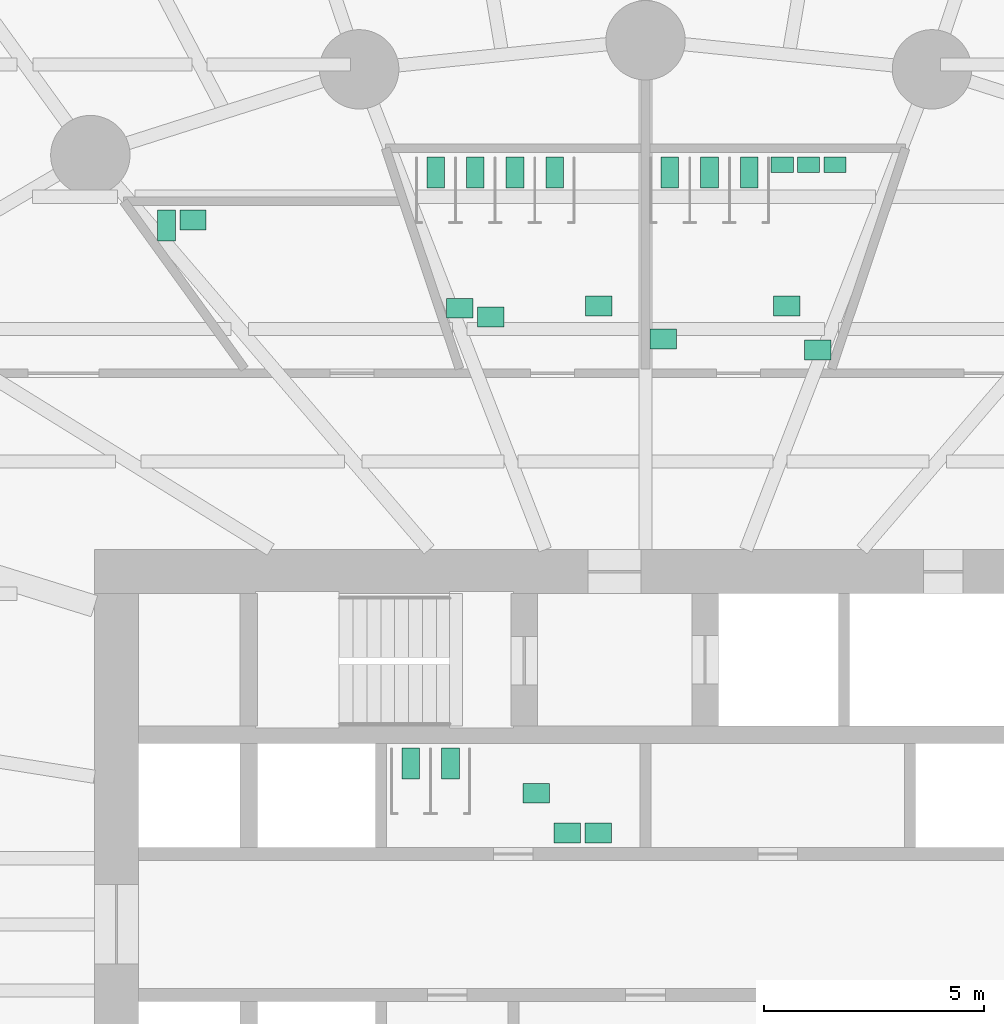
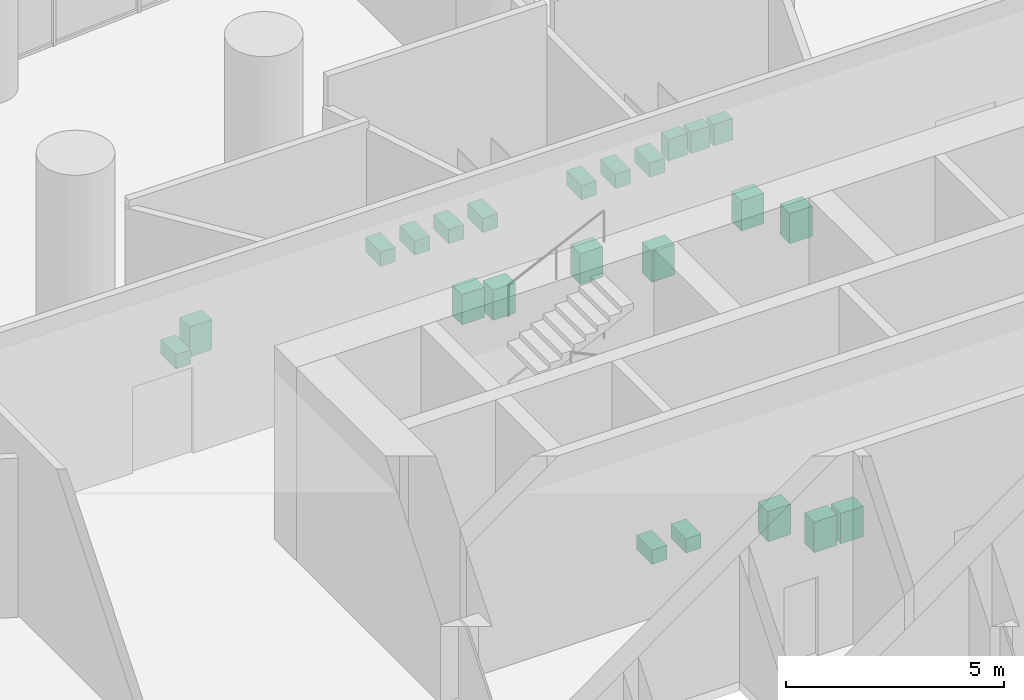
# One storey, part 20 of 21: 23 sanitary terminals.
"""IFC4 building model written with IfcOpenShell, lengths in metres."""

from ifc_helpers import new_model, si_unit, direction, frame, origin, origin_2d, place, context, subcontext, project, spatial, rectangle, extrude, element, save


model = new_model("IFC4")

# Units and contexts
model_context = context("Model", 3, precision=1e-05, world=origin(), true_north=direction((0.0, 1.0)))
body_context = subcontext(model_context, "Body", "Model", "MODEL_VIEW")
ifc_project = project(units=[si_unit("LENGTHUNIT", "METRE"), si_unit("AREAUNIT", "SQUARE_METRE"), si_unit("VOLUMEUNIT", "CUBIC_METRE"), si_unit("PLANEANGLEUNIT", "RADIAN"), si_unit("MASSUNIT", "GRAM", prefix="KILO")], contexts=[model_context])

# Site, building, storey
site_placement = place(None, origin())
site = spatial("IfcSite", under=ifc_project, at=site_placement, CompositionType="ELEMENT")
building_placement = place(site_placement, origin())
building = spatial("IfcBuilding", under=site, at=building_placement, Name="Hankou Lantern Tower", CompositionType="ELEMENT")
storey_placement = place(building_placement, frame((0.0, 0.0, 13.800048828125)))
storey = spatial("IfcBuildingStorey", under=building, at=storey_placement, Name="L02", CompositionType="ELEMENT", Elevation=13.800048828125)

# Sanitary terminals
for number, where, z_axis, x_axis, name in (
    (1, (0.550048828125, 17.050048828125, 0.0), (0.0, 0.0, 1.0), (1.0, 0.0, 0.0), "Male WC WC pan 1"),
    (2, (1.449951171875, 17.050048828125, 0.0), (0.0, 0.0, 1.0), (1.0, 0.0, 0.0), "Male WC WC pan 2"),
    (3, (2.35009765625, 17.050048828125, 0.0), (0.0, 0.0, 1.0), (1.0, 0.0, 0.0), "Male WC WC pan 3"),
):
    element("IfcSanitaryTerminal", number, at=place(storey_placement, frame(where, z_axis=z_axis, x_axis=x_axis)), inside=storey, Name=name, PredefinedType="TOILETPAN", context=body_context, shape_type="SweptSolid", body=[
        extrude(rectangle(XDim=0.39990234375, YDim=0.699951171875, at=origin_2d()), origin(), (0.0, 0.0, 1.0), 0.39990234375),
    ])
for number, where, z_axis, x_axis, name in (
    (4, (3.10009765625, 17.22509765625, 0.0), (0.0, 0.0, 1.0), (1.0, 0.0, 0.0), "Male WC urinal 1"),
    (5, (3.699951171875, 17.22509765625, 0.0), (0.0, 0.0, 1.0), (1.0, 0.0, 0.0), "Male WC urinal 2"),
    (6, (4.300048828125, 17.22509765625, 0.0), (0.0, 0.0, 1.0), (1.0, 0.0, 0.0), "Male WC urinal 3"),
):
    element("IfcSanitaryTerminal", number, at=place(storey_placement, frame(where, z_axis=z_axis, x_axis=x_axis)), inside=storey, Name=name, PredefinedType="URINAL", context=body_context, shape_type="SweptSolid", body=[
        extrude(rectangle(XDim=0.5, YDim=0.35009765625, at=origin_2d()), origin(), (0.0, 0.0, 1.0), 0.60009765625),
    ])
for number, where, z_axis, x_axis, name in (
    (7, (0.39990234375, 13.27490234375, 0.0), (0.0, 0.0, 1.0), (1.0, 0.0, 0.0), "Male WC wash basin 1"),
    (8, (3.199951171875, 14.02490234375, 0.0), (0.0, 0.0, 1.0), (1.0, 0.0, 0.0), "Male WC wash basin 2"),
    (9, (3.89990234375, 13.02490234375, 0.0), (0.0, 0.0, 1.0), (1.0, 0.0, 0.0), "Male WC wash basin 3"),
):
    element("IfcSanitaryTerminal", number, at=place(storey_placement, frame(where, z_axis=z_axis, x_axis=x_axis)), inside=storey, Name=name, PredefinedType="WASHHANDBASIN", context=body_context, shape_type="SweptSolid", body=[
        extrude(rectangle(XDim=0.60009765625, YDim=0.449951171875, at=origin_2d()), origin(), (0.0, 0.0, 1.0), 0.85009765625),
    ])
for number, where, z_axis, x_axis, name in (
    (10, (-4.761474609375, 17.050048828125, 0.0), (0.0, 0.0, 1.0), (1.0, 0.0, 0.0), "Female WC WC pan 1"),
    (11, (-3.861328125, 17.050048828125, 0.0), (0.0, 0.0, 1.0), (1.0, 0.0, 0.0), "Female WC WC pan 2"),
    (12, (-2.96142578125, 17.050048828125, 0.0), (0.0, 0.0, 1.0), (1.0, 0.0, 0.0), "Female WC WC pan 3"),
    (13, (-2.061279296875, 17.050048828125, 0.0), (0.0, 0.0, 1.0), (1.0, 0.0, 0.0), "Female WC WC pan 4"),
):
    element("IfcSanitaryTerminal", number, at=place(storey_placement, frame(where, z_axis=z_axis, x_axis=x_axis)), inside=storey, Name=name, PredefinedType="TOILETPAN", context=body_context, shape_type="SweptSolid", body=[
        extrude(rectangle(XDim=0.39990234375, YDim=0.699951171875, at=origin_2d()), origin(), (0.0, 0.0, 1.0), 0.39990234375),
    ])
for number, where, z_axis, x_axis, name in (
    (14, (-4.21142578125, 13.97509765625, 0.0), (0.0, 0.0, 1.0), (1.0, 0.0, 0.0), "Female WC wash basin 1"),
    (15, (-3.511474609375, 13.77490234375, 0.0), (0.0, 0.0, 1.0), (1.0, 0.0, 0.0), "Female WC wash basin 2"),
    (16, (-1.061279296875, 14.02490234375, 0.0), (0.0, 0.0, 1.0), (1.0, 0.0, 0.0), "Female WC wash basin 3"),
):
    element("IfcSanitaryTerminal", number, at=place(storey_placement, frame(where, z_axis=z_axis, x_axis=x_axis)), inside=storey, Name=name, PredefinedType="WASHHANDBASIN", context=body_context, shape_type="SweptSolid", body=[
        extrude(rectangle(XDim=0.60009765625, YDim=0.449951171875, at=origin_2d()), origin(), (0.0, 0.0, 1.0), 0.85009765625),
    ])
sanitary_terminal_1_placement = place(storey_placement, frame((-10.863525390625, 15.85009765625, 0.0), z_axis=(0.0, 0.0, 1.0), x_axis=(1.0, 0.0, 0.0)))
element("IfcSanitaryTerminal", 17, at=sanitary_terminal_1_placement, inside=storey, Name="Accessible WC WC pan 1", PredefinedType="TOILETPAN", context=body_context, shape_type="SweptSolid", body=[
    extrude(rectangle(XDim=0.39990234375, YDim=0.699951171875, at=origin_2d()), origin(), (0.0, 0.0, 1.0), 0.39990234375),
])
sanitary_terminal_2_placement = place(storey_placement, frame((-10.263427734375, 15.97509765625, 0.0), z_axis=(0.0, 0.0, 1.0), x_axis=(1.0, 0.0, 0.0)))
element("IfcSanitaryTerminal", 18, at=sanitary_terminal_2_placement, inside=storey, Name="Accessible WC wash basin 1", PredefinedType="WASHHANDBASIN", context=body_context, shape_type="SweptSolid", body=[
    extrude(rectangle(XDim=0.60009765625, YDim=0.449951171875, at=origin_2d()), origin(), (0.0, 0.0, 1.0), 0.85009765625),
])
for number, where, z_axis, x_axis, name in (
    (19, (-5.324951171875, 3.64990234375, 0.0), (0.0, 0.0, 1.0), (1.0, 0.0, 0.0), "Staff WC WC pan 1"),
    (20, (-4.425048828125, 3.64990234375, 0.0), (0.0, 0.0, 1.0), (1.0, 0.0, 0.0), "Staff WC WC pan 2"),
):
    element("IfcSanitaryTerminal", number, at=place(storey_placement, frame(where, z_axis=z_axis, x_axis=x_axis)), inside=storey, Name=name, PredefinedType="TOILETPAN", context=body_context, shape_type="SweptSolid", body=[
        extrude(rectangle(XDim=0.39990234375, YDim=0.699951171875, at=origin_2d()), origin(), (0.0, 0.0, 1.0), 0.39990234375),
    ])
for number, where, z_axis, x_axis, name in (
    (21, (-2.47509765625, 2.97509765625, 0.0), (0.0, 0.0, 1.0), (1.0, 0.0, 0.0), "Staff WC wash basin 1"),
    (22, (-1.77490234375, 2.074951171875, 0.0), (0.0, 0.0, 1.0), (1.0, 0.0, 0.0), "Staff WC wash basin 2"),
    (23, (-1.074951171875, 2.074951171875, 0.0), (0.0, 0.0, 1.0), (1.0, 0.0, 0.0), "Staff WC wash basin 3"),
):
    element("IfcSanitaryTerminal", number, at=place(storey_placement, frame(where, z_axis=z_axis, x_axis=x_axis)), inside=storey, Name=name, PredefinedType="WASHHANDBASIN", context=body_context, shape_type="SweptSolid", body=[
        extrude(rectangle(XDim=0.60009765625, YDim=0.449951171875, at=origin_2d()), origin(), (0.0, 0.0, 1.0), 0.85009765625),
    ])

save(model, "model.ifc")
